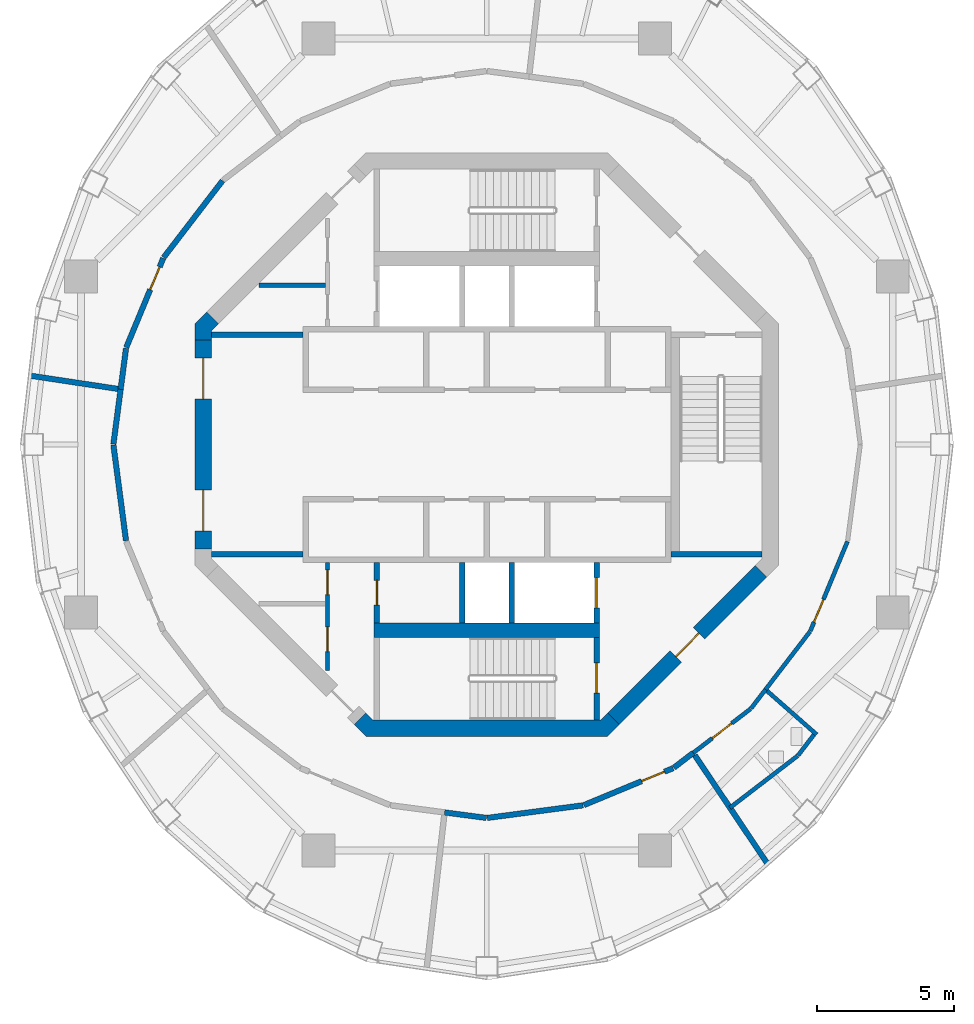
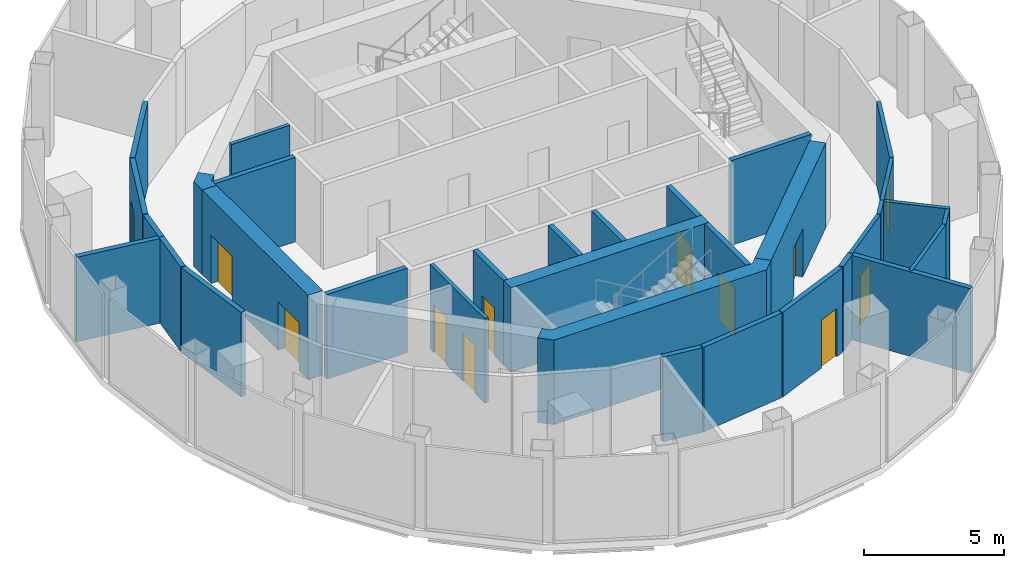
# One storey, part 8 of 12: 33 walls, 12 doors, 12 openings.
"""IFC4 building model written with IfcOpenShell, lengths in metres."""

from ifc_helpers import new_model, si_unit, direction, frame, frame_2d, origin, place, context, subcontext, project, spatial, polyline, rectangle, outline, extrude, material, layer, layer_set, type_object, element, fill, save


model = new_model("IFC4")

# Units and contexts
model_context = context("Model", 3, precision=1e-05, world=origin(), true_north=direction((0.0, 1.0)))
body_context = subcontext(model_context, "Body", "Model", "MODEL_VIEW")
ifc_project = project(units=[si_unit("LENGTHUNIT", "METRE"), si_unit("AREAUNIT", "SQUARE_METRE"), si_unit("VOLUMEUNIT", "CUBIC_METRE"), si_unit("PLANEANGLEUNIT", "RADIAN"), si_unit("MASSUNIT", "GRAM", prefix="KILO")], contexts=[model_context])

# Site, building, storey
site_placement = place(None, origin())
site = spatial("IfcSite", under=ifc_project, at=site_placement, CompositionType="ELEMENT")
building_placement = place(site_placement, origin())
building = spatial("IfcBuilding", under=site, at=building_placement, Name="Nagisa Residences", CompositionType="ELEMENT")
storey_placement = place(building_placement, frame((0.0, 0.0, 328.89990234375)))
storey = spatial("IfcBuildingStorey", under=building, at=storey_placement, Name="L81", CompositionType="ELEMENT", Elevation=328.89990234375)

# Wall, openings, doors
ifc_material_1 = material(Name="Gypsum board on steel studs", Category="steel")
ifc_layer_1 = layer(ifc_material_1, 0.14990234375)
ifc_layer_set_1 = layer_set([ifc_layer_1], Name="Core partition 150")
wall_type_1 = type_object("IfcWallType", Name="Core partition 150", PredefinedType="PARTITIONING", material=ifc_layer_set_1)
wall_1_placement = place(storey_placement, frame((-5.800048828125, -8.22705078125, 0.0), z_axis=(0.0, 0.0, 1.0), x_axis=(0.0, 1.0, 0.0)))
wall_1 = element("IfcWall", 1, at=wall_1_placement, inside=storey, type_object=wall_type_1, Name="wall:L81:SWp", PredefinedType="PARTITIONING", context=body_context, shape_type="SweptSolid", body=[
    extrude(rectangle(XDim=3.927001953125, YDim=0.14990234375, at=frame_2d((1.96337890625, 0.0))), origin(), (0.0, 0.0, 1.0), 3.7001953125),
])
opening_1_placement = place(wall_1_placement, frame((2.764404296875, 0.0, 0.0)))
opening_1 = element("IfcOpeningElement", 2, at=opening_1_placement, cuts=wall_1, Name="Opening L81-C09", PredefinedType="OPENING", context=body_context, shape_type="SweptSolid", body=[
    extrude(rectangle(XDim=0.89990234375, YDim=2.10009765625, at=frame_2d((0.449951171875, 1.050048828125))), frame((0.0, 0.0849609375, 0.0), z_axis=(0.0, -1.0, 0.0), x_axis=(1.0, 0.0, 0.0)), (0.0, 0.0, 1.0), 0.169921875),
])
opening_2_placement = place(wall_1_placement, frame((0.6884765625, 0.0, 0.0)))
opening_2 = element("IfcOpeningElement", 3, at=opening_2_placement, cuts=wall_1, Name="Opening L81-C10", PredefinedType="OPENING", context=body_context, shape_type="SweptSolid", body=[
    extrude(rectangle(XDim=0.89990234375, YDim=2.10009765625, at=frame_2d((0.449951171875, 1.050048828125))), frame((0.0, 0.0849609375, 0.0), z_axis=(0.0, -1.0, 0.0), x_axis=(1.0, 0.0, 0.0)), (0.0, 0.0, 1.0), 0.169921875),
])
ifc_material_2 = material(Name="Steel fire door", Category="steel")
door_type_1 = type_object("IfcDoorType", Name="Fire door EI30 900x2100 single swing", OperationType="NOTDEFINED", PredefinedType="DOOR", material=ifc_material_2)
door_1_placement = place(opening_1_placement, origin())
door_1 = element("IfcDoor", 4, at=door_1_placement, inside=storey, type_object=door_type_1, Name="Cleaner store door L81", OperationType="SINGLE_SWING_RIGHT", OverallHeight=2.10009765625, OverallWidth=0.89990234375, PredefinedType="DOOR", context=body_context, shape_type="SweptSolid", body=[
    extrude(rectangle(XDim=0.89990234375, YDim=2.10009765625, at=frame_2d((0.449951171875, 1.050048828125))), frame((0.0, 0.02490234375, 0.0), z_axis=(0.0, -1.0, 0.0), x_axis=(1.0, 0.0, 0.0)), (0.0, 0.0, 1.0), 0.050048828125),
])
fill(opening_1, door_1)
door_2_placement = place(opening_2_placement, origin())
door_2 = element("IfcDoor", 5, at=door_2_placement, inside=storey, type_object=door_type_1, Name="Plant package store door L81", OperationType="SINGLE_SWING_RIGHT", OverallHeight=2.10009765625, OverallWidth=0.89990234375, PredefinedType="DOOR", context=body_context, shape_type="SweptSolid", body=[
    extrude(rectangle(XDim=0.89990234375, YDim=2.10009765625, at=frame_2d((0.449951171875, 1.050048828125))), frame((0.0, 0.02490234375, 0.0), z_axis=(0.0, -1.0, 0.0), x_axis=(1.0, 0.0, 0.0)), (0.0, 0.0, 1.0), 0.050048828125),
])
fill(opening_2, door_2)

# Walls
wall_2_placement = place(storey_placement, frame((-8.301025390625, 5.800048828125, 0.0), z_axis=(0.0, 0.0, 1.0), x_axis=(1.0, 0.0, 0.0)))
element("IfcWall", 6, at=wall_2_placement, inside=storey, type_object=wall_type_1, Name="wall:L81:NWq", PredefinedType="PARTITIONING", context=body_context, shape_type="SweptSolid", body=[
    extrude(rectangle(XDim=2.426025390625, YDim=0.14990234375, at=frame_2d((1.212890625, 0.0))), origin(), (0.0, 0.0, 1.0), 3.7001953125),
])
ifc_material_3 = material(Name="Gypsum board on steel studs", Category="steel")
ifc_layer_2 = layer(ifc_material_3, 0.199951171875)
ifc_layer_set_2 = layer_set([ifc_layer_2], Name="Core partition 200")
wall_type_2 = type_object("IfcWallType", Name="Core partition 200", PredefinedType="PARTITIONING", material=ifc_layer_set_2)
for number, where, z_axis, x_axis, name in (
    (7, (-10.024658203125, -4.0, 0.0), (0.0, 0.0, 1.0), (1.0, 0.0, 0.0), "wall:L81:PSW"),
    (8, (-10.024658203125, 4.0, 0.0), (0.0, 0.0, 1.0), (1.0, 0.0, 0.0), "wall:L81:PNW"),
):
    element("IfcWall", number, at=place(storey_placement, frame(where, z_axis=z_axis, x_axis=x_axis)), inside=storey, type_object=wall_type_2, Name=name, PredefinedType="PARTITIONING", context=body_context, shape_type="SweptSolid", body=[
        extrude(rectangle(XDim=3.32470703125, YDim=0.199951171875, at=frame_2d((1.662353515625, 0.0))), origin(), (0.0, 0.0, 1.0), 3.7001953125),
    ])

# Wall, openings, doors
ifc_material_4 = material(Name="Concrete C60", Category="concrete")
ifc_layer_3 = layer(ifc_material_4, 0.60009765625)
ifc_layer_set_3 = layer_set([ifc_layer_3], Name="Core shear wall 600")
wall_type_3 = type_object("IfcWallType", Name="Core shear wall 600", PredefinedType="SHEAR", material=ifc_layer_set_3)
wall_3_placement = place(storey_placement, frame((-10.32470703125, 3.80078125, 0.0), z_axis=(0.0, 0.0, 1.0), x_axis=(0.0, -1.0, 0.0)))
wall_3 = element("IfcWall", 9, at=wall_3_placement, inside=storey, type_object=wall_type_3, Name="wall:L81:core:flat4", PredefinedType="SHEAR", context=body_context, shape_type="SweptSolid", body=[
    extrude(rectangle(XDim=7.6015625, YDim=0.60009765625, at=frame_2d((3.80078125, 0.0))), origin(), (0.0, 0.0, 1.0), 3.7001953125),
])
opening_3_placement = place(wall_3_placement, frame((0.65087890625, 0.0, 0.0)))
opening_3 = element("IfcOpeningElement", 10, at=opening_3_placement, cuts=wall_3, Name="Opening L81-C22", PredefinedType="OPENING", context=body_context, shape_type="SweptSolid", body=[
    extrude(rectangle(XDim=1.5, YDim=2.10009765625, at=frame_2d((0.75, 1.050048828125))), frame((0.0, 0.31005859375, 0.0), z_axis=(0.0, -1.0, 0.0), x_axis=(1.0, 0.0, 0.0)), (0.0, 0.0, 1.0), 0.6201171875),
])
opening_4_placement = place(wall_3_placement, frame((5.450927734375, 0.0, 0.0)))
opening_4 = element("IfcOpeningElement", 11, at=opening_4_placement, cuts=wall_3, Name="Opening L81-C23", PredefinedType="OPENING", context=body_context, shape_type="SweptSolid", body=[
    extrude(rectangle(XDim=1.5, YDim=2.10009765625, at=frame_2d((0.75, 1.050048828125))), frame((0.0, 0.31005859375, 0.0), z_axis=(0.0, -1.0, 0.0), x_axis=(1.0, 0.0, 0.0)), (0.0, 0.0, 1.0), 0.6201171875),
])
ifc_material_5 = material(Name="Steel fire door", Category="steel")
door_type_2 = type_object("IfcDoorType", Name="Fire door EI60 1500x2100 double door single swing", OperationType="DOUBLE_DOOR_SINGLE_SWING", PredefinedType="DOOR", material=ifc_material_5)
door_3_placement = place(opening_3_placement, origin())
door_3 = element("IfcDoor", 12, at=door_3_placement, inside=storey, type_object=door_type_2, Name="Lift lobby door L81 1", OperationType="DOUBLE_DOOR_SINGLE_SWING", OverallHeight=2.10009765625, OverallWidth=1.5, PredefinedType="DOOR", context=body_context, shape_type="SweptSolid", body=[
    extrude(rectangle(XDim=1.5, YDim=2.10009765625, at=frame_2d((0.75, 1.050048828125))), frame((0.0, 0.02490234375, 0.0), z_axis=(0.0, -1.0, 0.0), x_axis=(1.0, 0.0, 0.0)), (0.0, 0.0, 1.0), 0.050048828125),
])
fill(opening_3, door_3)
door_4_placement = place(opening_4_placement, origin())
door_4 = element("IfcDoor", 13, at=door_4_placement, inside=storey, type_object=door_type_2, Name="Lift lobby door L81 2", OperationType="DOUBLE_DOOR_SINGLE_SWING", OverallHeight=2.10009765625, OverallWidth=1.5, PredefinedType="DOOR", context=body_context, shape_type="SweptSolid", body=[
    extrude(rectangle(XDim=1.5, YDim=2.10009765625, at=frame_2d((0.75, 1.050048828125))), frame((0.0, 0.02490234375, 0.0), z_axis=(0.0, -1.0, 0.0), x_axis=(1.0, 0.0, 0.0)), (0.0, 0.0, 1.0), 0.050048828125),
])
fill(opening_4, door_4)

# Wall, opening, door
wall_4_placement = place(storey_placement, frame((4.613037109375, -9.98828125, 0.0), z_axis=(0.0, 0.0, 1.0), x_axis=(0.707106781187, 0.707106781187, 0.0)))
wall_4 = element("IfcWall", 14, at=wall_4_placement, inside=storey, type_object=wall_type_3, Name="wall:L81:core:flat7", PredefinedType="SHEAR", context=body_context, shape_type="SweptSolid", body=[
    extrude(rectangle(XDim=7.601806640625, YDim=0.60009765625, at=frame_2d((3.80078125, 0.0))), origin(), (0.0, 0.0, 1.0), 3.7001953125),
])
opening_5_placement = place(wall_4_placement, frame((3.200927734375, 0.0, 0.0)))
opening_5 = element("IfcOpeningElement", 15, at=opening_5_placement, cuts=wall_4, Name="Opening L81-C21", PredefinedType="OPENING", context=body_context, shape_type="SweptSolid", body=[
    extrude(rectangle(XDim=1.199951171875, YDim=2.10009765625, at=frame_2d((0.60009765625, 1.050048828125))), frame((0.0, 0.31005859375, 0.0), z_axis=(0.0, -1.0, 0.0), x_axis=(1.0, 0.0, 0.0)), (0.0, 0.0, 1.0), 0.6201171875),
])
ifc_material_6 = material(Name="Steel fire door", Category="steel")
door_type_3 = type_object("IfcDoorType", Name="Fire door EI60 1200x2100 single swing", OperationType="NOTDEFINED", PredefinedType="DOOR", material=ifc_material_6)
door_5_placement = place(opening_5_placement, origin())
door_5 = element("IfcDoor", 16, at=door_5_placement, inside=storey, type_object=door_type_3, Name="Firefighting lobby 2 door L81", OperationType="SINGLE_SWING_LEFT", OverallHeight=2.10009765625, OverallWidth=1.199951171875, PredefinedType="DOOR", context=body_context, shape_type="SweptSolid", body=[
    extrude(rectangle(XDim=1.199951171875, YDim=2.10009765625, at=frame_2d((0.60009765625, 1.050048828125))), frame((0.0, 0.02490234375, 0.0), z_axis=(0.0, -1.0, 0.0), x_axis=(1.0, 0.0, 0.0)), (0.0, 0.0, 1.0), 0.050048828125),
])
fill(opening_5, door_5)

# Walls
wall_5_placement = place(storey_placement, origin())
element("IfcWall", 17, at=wall_5_placement, inside=storey, type_object=wall_type_3, Name="wall:L81:core:pier3", PredefinedType="SHEAR", context=body_context, shape_type="SweptSolid", body=[
    extrude(outline(polyline([(-10.200439453125, 4.8251953125), (-9.776123046875, 4.40087890625), (-10.024658203125, 4.15234375), (-10.024658203125, 3.80078125), (-10.62451171875, 3.80078125), (-10.62451171875, 4.40087890625), (-10.200439453125, 4.8251953125)])), origin(), (0.0, 0.0, 1.0), 3.7001953125),
])
wall_6_placement = place(storey_placement, origin())
element("IfcWall", 18, at=wall_6_placement, inside=storey, type_object=wall_type_3, Name="wall:L81:core:flat6", PredefinedType="SHEAR", context=body_context, shape_type="SweptSolid", body=[
    extrude(outline(polyline([(-4.15234375, -10.024658203125), (4.15234375, -10.024658203125), (4.40087890625, -9.776123046875), (4.8251953125, -10.200439453125), (4.40087890625, -10.62451171875), (-4.40087890625, -10.62451171875), (-4.8251953125, -10.200439453125), (-4.40087890625, -9.776123046875), (-4.15234375, -10.024658203125)])), origin(), (0.0, 0.0, 1.0), 3.7001953125),
])

# Wall, opening, door
ifc_material_7 = material(Name="Concrete C60", Category="concrete")
ifc_layer_4 = layer(ifc_material_7, 0.199951171875)
ifc_layer_set_4 = layer_set([ifc_layer_4], Name="Lift shaft wall 200")
wall_type_4 = type_object("IfcWallType", Name="Lift shaft wall 200", PredefinedType="SOLIDWALL", material=ifc_layer_set_4)
wall_7_placement = place(storey_placement, frame((4.0, -6.5, 0.0), z_axis=(0.0, 0.0, 1.0), x_axis=(0.0, 1.0, 0.0)))
wall_7 = element("IfcWall", 19, at=wall_7_placement, inside=storey, type_object=wall_type_4, Name="wall:L81:Sb3", PredefinedType="SOLIDWALL", context=body_context, shape_type="SweptSolid", body=[
    extrude(rectangle(XDim=2.199951171875, YDim=0.199951171875, at=frame_2d((1.10009765625, 0.0))), origin(), (0.0, 0.0, 1.0), 3.7001953125),
])
opening_6_placement = place(wall_7_placement, frame((0.550048828125, 0.0, 0.0)))
opening_6 = element("IfcOpeningElement", 20, at=opening_6_placement, cuts=wall_7, Name="Opening L81-C02", PredefinedType="OPENING", context=body_context, shape_type="SweptSolid", body=[
    extrude(rectangle(XDim=1.10009765625, YDim=2.10009765625, at=frame_2d((0.550048828125, 1.050048828125))), frame((0.0, 0.10986328125, 0.0), z_axis=(0.0, -1.0, 0.0), x_axis=(1.0, 0.0, 0.0)), (0.0, 0.0, 1.0), 0.219970703125),
])
ifc_material_8 = material(Name="Stainless steel", Category="steel")
door_type_4 = type_object("IfcDoorType", Name="Lift landing door 1100x2100", OperationType="DOUBLE_DOOR_SLIDING", PredefinedType="DOOR", material=ifc_material_8)
door_6_placement = place(opening_6_placement, origin())
door_6 = element("IfcDoor", 21, at=door_6_placement, inside=storey, type_object=door_type_4, Name="Landing door FL2 L81", OperationType="DOUBLE_DOOR_SLIDING", OverallHeight=2.10009765625, OverallWidth=1.10009765625, PredefinedType="DOOR", context=body_context, shape_type="SweptSolid", body=[
    extrude(rectangle(XDim=1.10009765625, YDim=2.10009765625, at=frame_2d((0.550048828125, 1.050048828125))), frame((0.0, 0.02490234375, 0.0), z_axis=(0.0, -1.0, 0.0), x_axis=(1.0, 0.0, 0.0)), (0.0, 0.0, 1.0), 0.050048828125),
])
fill(opening_6, door_6)

wall_8_placement = place(storey_placement, frame((-4.0, -6.5, 0.0), z_axis=(0.0, 0.0, 1.0), x_axis=(0.0, 1.0, 0.0)))
wall_8 = element("IfcWall", 22, at=wall_8_placement, inside=storey, type_object=wall_type_4, Name="wall:L81:Sb4", PredefinedType="SOLIDWALL", context=body_context, shape_type="SweptSolid", body=[
    extrude(rectangle(XDim=2.199951171875, YDim=0.199951171875, at=frame_2d((1.10009765625, 0.0))), origin(), (0.0, 0.0, 1.0), 3.7001953125),
])
opening_7_placement = place(wall_8_placement, frame((0.64990234375, 0.0, 0.0)))
opening_7 = element("IfcOpeningElement", 23, at=opening_7_placement, cuts=wall_8, Name="Opening L81-C11", PredefinedType="OPENING", context=body_context, shape_type="SweptSolid", body=[
    extrude(rectangle(XDim=0.89990234375, YDim=2.10009765625, at=frame_2d((0.449951171875, 1.050048828125))), frame((0.0, 0.10986328125, 0.0), z_axis=(0.0, -1.0, 0.0), x_axis=(1.0, 0.0, 0.0)), (0.0, 0.0, 1.0), 0.219970703125),
])
door_7_placement = place(opening_7_placement, frame((0.89990234375, 0.0, 0.0), x_axis=(-1.0, 0.0, 0.0)))
door_7 = element("IfcDoor", 24, at=door_7_placement, inside=storey, type_object=door_type_1, Name="Refuse room door L81", OperationType="SINGLE_SWING_RIGHT", OverallHeight=2.10009765625, OverallWidth=0.89990234375, PredefinedType="DOOR", context=body_context, shape_type="SweptSolid", body=[
    extrude(rectangle(XDim=0.89990234375, YDim=2.10009765625, at=frame_2d((0.449951171875, 1.050048828125))), frame((0.0, 0.02490234375, 0.0), z_axis=(0.0, -1.0, 0.0), x_axis=(1.0, 0.0, 0.0)), (0.0, 0.0, 1.0), 0.050048828125),
])
fill(opening_7, door_7)

# Walls
for number, where, z_axis, x_axis, name in (
    (25, (-0.89990234375, -6.5, 0.0), (0.0, 0.0, 1.0), (0.0, 1.0, 0.0), "wall:L81:Sb1"),
    (26, (0.89990234375, -6.5, 0.0), (0.0, 0.0, 1.0), (0.0, 1.0, 0.0), "wall:L81:Sb2"),
):
    element("IfcWall", number, at=place(storey_placement, frame(where, z_axis=z_axis, x_axis=x_axis)), inside=storey, type_object=wall_type_4, Name=name, PredefinedType="SOLIDWALL", context=body_context, shape_type="SweptSolid", body=[
        extrude(rectangle(XDim=2.199951171875, YDim=0.199951171875, at=frame_2d((1.10009765625, 0.0))), origin(), (0.0, 0.0, 1.0), 3.7001953125),
    ])
ifc_material_9 = material(Name="Gypsum board on steel studs", Category="steel")
ifc_layer_5 = layer(ifc_material_9, 0.199951171875)
ifc_layer_set_5 = layer_set([ifc_layer_5], Name="Plant room wall EI120 200")
wall_type_5 = type_object("IfcWallType", Name="Plant room wall EI120 200", PredefinedType="PARTITIONING", material=ifc_layer_set_5)
wall_9_placement = place(storey_placement, frame((-13.597900390625, 0.01513671875, 0.0), z_axis=(0.0, 0.0, 1.0), x_axis=(0.130526685544, 0.991444796426, 0.0)))
element("IfcWall", 27, at=wall_9_placement, inside=storey, type_object=wall_type_5, Name="wall:L81:am009", PredefinedType="PARTITIONING", context=body_context, shape_type="SweptSolid", body=[
    extrude(rectangle(XDim=2.0126953125, YDim=0.199951171875, at=frame_2d((1.00634765625, 0.0))), origin(), (0.0, 0.0, 1.0), 3.7001953125),
])
wall_10_placement = place(storey_placement, frame((-13.43408203125, 2.025390625, 0.0), z_axis=(0.0, 0.0, 1.0), x_axis=(-0.988817905908, 0.149127961685, 0.0)))
element("IfcWall", 28, at=wall_10_placement, inside=storey, type_object=wall_type_5, Name="wall:L81:am010", PredefinedType="PARTITIONING", context=body_context, shape_type="SweptSolid", body=[
    extrude(rectangle(XDim=3.213623046875, YDim=0.199951171875, at=frame_2d((1.60693359375, 0.0))), origin(), (0.0, 0.0, 1.0), 3.7001953125),
])
wall_11_placement = place(storey_placement, frame((-13.335205078125, 2.010498046875, 0.0), z_axis=(0.0, 0.0, 1.0), x_axis=(0.130391662061, 0.99146256332, 0.0)))
element("IfcWall", 29, at=wall_11_placement, inside=storey, type_object=wall_type_5, Name="wall:L81:am011", PredefinedType="PARTITIONING", context=body_context, shape_type="SweptSolid", body=[
    extrude(rectangle(XDim=1.50732421875, YDim=0.199951171875, at=frame_2d((0.753662109375, 0.0))), origin(), (0.0, 0.0, 1.0), 3.7001953125),
])
wall_12_placement = place(storey_placement, frame((-13.138671875, -3.5048828125, 0.0), z_axis=(0.0, 0.0, 1.0), x_axis=(-0.130468866457, 0.991452406768, 0.0)))
element("IfcWall", 30, at=wall_12_placement, inside=storey, type_object=wall_type_5, Name="wall:L81:am012", PredefinedType="PARTITIONING", context=body_context, shape_type="SweptSolid", body=[
    extrude(rectangle(XDim=3.519775390625, YDim=0.199951171875, at=frame_2d((1.759765625, 0.0))), origin(), (0.0, 0.0, 1.0), 3.7001953125),
])

# Wall, opening, door
wall_13_placement = place(storey_placement, frame((-13.130859375, 3.533935546875, 0.0), z_axis=(0.0, 0.0, 1.0), x_axis=(0.382723413813, 0.92386297064, 0.0)))
wall_13 = element("IfcWall", 31, at=wall_13_placement, inside=storey, type_object=wall_type_5, Name="wall:L81:am013", PredefinedType="PARTITIONING", context=body_context, shape_type="SweptSolid", body=[
    extrude(rectangle(XDim=3.52001953125, YDim=0.199951171875, at=frame_2d((1.760009765625, 0.0))), origin(), (0.0, 0.0, 1.0), 3.7001953125),
])
opening_8_placement = place(wall_13_placement, frame((2.277587890625, 0.0, 0.0)))
opening_8 = element("IfcOpeningElement", 32, at=opening_8_placement, cuts=wall_13, Name="Opening L81-A03", PredefinedType="OPENING", context=body_context, shape_type="SweptSolid", body=[
    extrude(rectangle(XDim=0.89990234375, YDim=2.10009765625, at=frame_2d((0.449951171875, 1.050048828125))), frame((0.0, 0.10986328125, 0.0), z_axis=(0.0, -1.0, 0.0), x_axis=(1.0, 0.0, 0.0)), (0.0, 0.0, 1.0), 0.219970703125),
])
ifc_material_10 = material(Name="Steel fire door", Category="steel")
door_type_5 = type_object("IfcDoorType", Name="Fire door EI120 900x2100 single swing", OperationType="NOTDEFINED", PredefinedType="DOOR", material=ifc_material_10)
door_8_placement = place(opening_8_placement, origin())
door_8 = element("IfcDoor", 33, at=door_8_placement, inside=storey, type_object=door_type_5, Name="Switchroom door", OperationType="SINGLE_SWING_LEFT", OverallHeight=2.10009765625, OverallWidth=0.89990234375, PredefinedType="DOOR", context=body_context, shape_type="SweptSolid", body=[
    extrude(rectangle(XDim=0.89990234375, YDim=2.10009765625, at=frame_2d((0.449951171875, 1.050048828125))), frame((0.0, 0.02490234375, 0.0), z_axis=(0.0, -1.0, 0.0), x_axis=(1.0, 0.0, 0.0)), (0.0, 0.0, 1.0), 0.050048828125),
])
fill(opening_8, door_8)

# Walls
wall_14_placement = place(storey_placement, frame((-11.7685546875, 6.81201171875, 0.0), z_axis=(0.0, 0.0, 1.0), x_axis=(0.608697977542, 0.793402024283, 0.0)))
element("IfcWall", 34, at=wall_14_placement, inside=storey, type_object=wall_type_5, Name="wall:L81:am015", PredefinedType="PARTITIONING", context=body_context, shape_type="SweptSolid", body=[
    extrude(rectangle(XDim=3.52001953125, YDim=0.199951171875, at=frame_2d((1.760009765625, 0.0))), origin(), (0.0, 0.0, 1.0), 3.7001953125),
])
wall_15_placement = place(storey_placement, frame((-0.01513671875, -13.597900390625, 0.0), z_axis=(0.0, 0.0, 1.0), x_axis=(-0.991449967232, 0.13048740351, 0.0)))
element("IfcWall", 35, at=wall_15_placement, inside=storey, type_object=wall_type_5, Name="wall:L81:am028", PredefinedType="PARTITIONING", context=body_context, shape_type="SweptSolid", body=[
    extrude(rectangle(XDim=1.5361328125, YDim=0.199951171875, at=frame_2d((0.76806640625, 0.0))), origin(), (0.0, 0.0, 1.0), 3.7001953125),
])
wall_16_placement = place(storey_placement, frame((3.5048828125, -13.138671875, 0.0), z_axis=(0.0, 0.0, 1.0), x_axis=(-0.991452406768, -0.130468866457, 0.0)))
element("IfcWall", 36, at=wall_16_placement, inside=storey, type_object=wall_type_5, Name="wall:L81:am032", PredefinedType="PARTITIONING", context=body_context, shape_type="SweptSolid", body=[
    extrude(rectangle(XDim=3.519775390625, YDim=0.199951171875, at=frame_2d((1.759765625, 0.0))), origin(), (0.0, 0.0, 1.0), 3.7001953125),
])

# Wall, opening, door
wall_17_placement = place(storey_placement, frame((6.785888671875, -11.78369140625, 0.0), z_axis=(0.0, 0.0, 1.0), x_axis=(-0.92386297064, -0.382723413813, 0.0)))
wall_17 = element("IfcWall", 37, at=wall_17_placement, inside=storey, type_object=wall_type_5, Name="wall:L81:am034", PredefinedType="PARTITIONING", context=body_context, shape_type="SweptSolid", body=[
    extrude(rectangle(XDim=3.52001953125, YDim=0.199951171875, at=frame_2d((1.760009765625, 0.0))), origin(), (0.0, 0.0, 1.0), 3.7001953125),
])
opening_9_placement = place(wall_17_placement, frame((0.34228515625, 0.0, 0.0)))
opening_9 = element("IfcOpeningElement", 38, at=opening_9_placement, cuts=wall_17, Name="Opening L81-A06", PredefinedType="OPENING", context=body_context, shape_type="SweptSolid", body=[
    extrude(rectangle(XDim=0.89990234375, YDim=2.10009765625, at=frame_2d((0.449951171875, 1.050048828125))), frame((0.0, 0.10986328125, 0.0), z_axis=(0.0, -1.0, 0.0), x_axis=(1.0, 0.0, 0.0)), (0.0, 0.0, 1.0), 0.219970703125),
])
door_9_placement = place(opening_9_placement, origin())
door_9 = element("IfcDoor", 39, at=door_9_placement, inside=storey, type_object=door_type_5, Name="Transformer room door", OperationType="SINGLE_SWING_RIGHT", OverallHeight=2.10009765625, OverallWidth=0.89990234375, PredefinedType="DOOR", context=body_context, shape_type="SweptSolid", body=[
    extrude(rectangle(XDim=0.89990234375, YDim=2.10009765625, at=frame_2d((0.449951171875, 1.050048828125))), frame((0.0, 0.02490234375, 0.0), z_axis=(0.0, -1.0, 0.0), x_axis=(1.0, 0.0, 0.0)), (0.0, 0.0, 1.0), 0.050048828125),
])
fill(opening_9, door_9)

# Walls
wall_18_placement = place(storey_placement, frame((7.5166015625, -11.22802734375, 0.0), z_axis=(0.0, 0.0, 1.0), x_axis=(-0.793420478802, -0.608673922407, 0.0)))
element("IfcWall", 40, at=wall_18_placement, inside=storey, type_object=wall_type_5, Name="wall:L81:am036", PredefinedType="PARTITIONING", context=body_context, shape_type="SweptSolid", body=[
    extrude(rectangle(XDim=0.887939453125, YDim=0.199951171875, at=frame_2d((0.44384765625, 0.0))), origin(), (0.0, 0.0, 1.0), 3.7001953125),
])
wall_19_placement = place(storey_placement, frame((10.208984375, -15.25, 0.0), z_axis=(0.0, 0.0, 1.0), x_axis=(-0.55629198168, 0.830986901893, 0.0)))
element("IfcWall", 41, at=wall_19_placement, inside=storey, type_object=wall_type_5, Name="wall:L81:am038", PredefinedType="PARTITIONING", context=body_context, shape_type="SweptSolid", body=[
    extrude(rectangle(XDim=4.73974609375, YDim=0.199951171875, at=frame_2d((2.369873046875, 0.0))), origin(), (0.0, 0.0, 1.0), 3.7001953125),
])

# Wall, opening, door
ifc_material_11 = material(Name="Gypsum board on steel studs", Category="steel")
ifc_layer_6 = layer(ifc_material_11, 0.14990234375)
ifc_layer_set_6 = layer_set([ifc_layer_6], Name="Room partition EI60 150")
wall_type_6 = type_object("IfcWallType", Name="Room partition EI60 150", PredefinedType="PARTITIONING", material=ifc_layer_set_6)
wall_20_placement = place(storey_placement, frame((9.607177734375, -9.6240234375, 0.0), z_axis=(0.0, 0.0, 1.0), x_axis=(-0.793381127635, -0.608725214126, 0.0)))
wall_20 = element("IfcWall", 42, at=wall_20_placement, inside=storey, type_object=wall_type_6, Name="wall:L81:am000", PredefinedType="PARTITIONING", context=body_context, shape_type="SweptSolid", body=[
    extrude(rectangle(XDim=2.635009765625, YDim=0.14990234375, at=frame_2d((1.3173828125, 0.0))), origin(), (0.0, 0.0, 1.0), 3.7001953125),
])
opening_10_placement = place(wall_20_placement, frame((0.86181640625, 0.0, 0.0)))
opening_10 = element("IfcOpeningElement", 43, at=opening_10_placement, cuts=wall_20, Name="Opening L81-A07", PredefinedType="OPENING", context=body_context, shape_type="SweptSolid", body=[
    extrude(rectangle(XDim=0.89990234375, YDim=2.10009765625, at=frame_2d((0.449951171875, 1.050048828125))), frame((0.0, 0.0849609375, 0.0), z_axis=(0.0, -1.0, 0.0), x_axis=(1.0, 0.0, 0.0)), (0.0, 0.0, 1.0), 0.169921875),
])
door_10_placement = place(opening_10_placement, origin())
door_10 = element("IfcDoor", 44, at=door_10_placement, inside=storey, type_object=door_type_1, Name="Plant staff WC door", OperationType="SINGLE_SWING_LEFT", OverallHeight=2.10009765625, OverallWidth=0.89990234375, PredefinedType="DOOR", context=body_context, shape_type="SweptSolid", body=[
    extrude(rectangle(XDim=0.89990234375, YDim=2.10009765625, at=frame_2d((0.449951171875, 1.050048828125))), frame((0.0, 0.02490234375, 0.0), z_axis=(0.0, -1.0, 0.0), x_axis=(1.0, 0.0, 0.0)), (0.0, 0.0, 1.0), 0.050048828125),
])
fill(opening_10, door_10)

# Walls
wall_21_placement = place(storey_placement, frame((10.14892578125, -8.923095703125, 0.0), z_axis=(0.0, 0.0, 1.0), x_axis=(-0.608752479135, -0.793360207691, 0.0)))
element("IfcWall", 45, at=wall_21_placement, inside=storey, type_object=wall_type_6, Name="wall:L81:am001", PredefinedType="PARTITIONING", context=body_context, shape_type="SweptSolid", body=[
    extrude(rectangle(XDim=0.8623046875, YDim=0.14990234375, at=frame_2d((0.43115234375, 0.0))), origin(), (0.0, 0.0, 1.0), 3.7001953125),
])
wall_22_placement = place(storey_placement, frame((10.205322265625, -8.97265625, 0.0), z_axis=(0.0, 0.0, 1.0), x_axis=(0.750971181711, -0.66033497881, 0.0)))
element("IfcWall", 46, at=wall_22_placement, inside=storey, type_object=wall_type_6, Name="wall:L81:am002", PredefinedType="PARTITIONING", context=body_context, shape_type="SweptSolid", body=[
    extrude(rectangle(XDim=2.405517578125, YDim=0.14990234375, at=frame_2d((1.20263671875, 0.0))), origin(), (0.0, 0.0, 1.0), 3.7001953125),
])
wall_23_placement = place(storey_placement, frame((11.319091796875, -11.335693359375, 0.0), z_axis=(0.0, 0.0, 1.0), x_axis=(-0.793397594576, -0.608703751361, 0.0)))
element("IfcWall", 47, at=wall_23_placement, inside=storey, type_object=wall_type_6, Name="wall:L81:am003", PredefinedType="PARTITIONING", context=body_context, shape_type="SweptSolid", body=[
    extrude(rectangle(XDim=3.1064453125, YDim=0.14990234375, at=frame_2d((1.55322265625, 0.0))), origin(), (0.0, 0.0, 1.0), 3.7001953125),
])
wall_24_placement = place(storey_placement, frame((11.770751953125, -6.809326171875, 0.0), z_axis=(0.0, 0.0, 1.0), x_axis=(-0.608731606531, -0.793376222993, 0.0)))
element("IfcWall", 48, at=wall_24_placement, inside=storey, type_object=wall_type_6, Name="wall:L81:am004", PredefinedType="PARTITIONING", context=body_context, shape_type="SweptSolid", body=[
    extrude(rectangle(XDim=2.664306640625, YDim=0.14990234375, at=frame_2d((1.33203125, 0.0))), origin(), (0.0, 0.0, 1.0), 3.7001953125),
])
wall_25_placement = place(storey_placement, frame((11.909423828125, -10.571044921875, 0.0), z_axis=(0.0, 0.0, 1.0), x_axis=(-0.608583762221, -0.793489637211, 0.0)))
element("IfcWall", 49, at=wall_25_placement, inside=storey, type_object=wall_type_6, Name="wall:L81:am005", PredefinedType="PARTITIONING", context=body_context, shape_type="SweptSolid", body=[
    extrude(rectangle(XDim=0.942626953125, YDim=0.14990234375, at=frame_2d((0.47119140625, 0.0))), origin(), (0.0, 0.0, 1.0), 3.7001953125),
])

# Wall, opening, door
wall_26_placement = place(storey_placement, frame((13.132080078125, -3.53076171875, 0.0), z_axis=(0.0, 0.0, 1.0), x_axis=(-0.382677866108, -0.923881838111, 0.0)))
wall_26 = element("IfcWall", 50, at=wall_26_placement, inside=storey, type_object=wall_type_6, Name="wall:L81:am006", PredefinedType="PARTITIONING", context=body_context, shape_type="SweptSolid", body=[
    extrude(rectangle(XDim=3.52685546875, YDim=0.14990234375, at=frame_2d((1.763427734375, 0.0))), origin(), (0.0, 0.0, 1.0), 3.7001953125),
])
opening_11_placement = place(wall_26_placement, frame((2.281005859375, 0.0, 0.0)))
opening_11 = element("IfcOpeningElement", 51, at=opening_11_placement, cuts=wall_26, Name="Opening L81-A08", PredefinedType="OPENING", context=body_context, shape_type="SweptSolid", body=[
    extrude(rectangle(XDim=0.89990234375, YDim=2.10009765625, at=frame_2d((0.449951171875, 1.050048828125))), frame((0.0, 0.0849609375, 0.0), z_axis=(0.0, -1.0, 0.0), x_axis=(1.0, 0.0, 0.0)), (0.0, 0.0, 1.0), 0.169921875),
])
door_11_placement = place(opening_11_placement, origin())
door_11 = element("IfcDoor", 52, at=door_11_placement, inside=storey, type_object=door_type_1, Name="Plant workshop door", OperationType="SINGLE_SWING_RIGHT", OverallHeight=2.10009765625, OverallWidth=0.89990234375, PredefinedType="DOOR", context=body_context, shape_type="SweptSolid", body=[
    extrude(rectangle(XDim=0.89990234375, YDim=2.10009765625, at=frame_2d((0.449951171875, 1.050048828125))), frame((0.0, 0.02490234375, 0.0), z_axis=(0.0, -1.0, 0.0), x_axis=(1.0, 0.0, 0.0)), (0.0, 0.0, 1.0), 0.050048828125),
])
fill(opening_11, door_11)

ifc_material_12 = material(Name="Concrete C60", Category="concrete")
ifc_layer_7 = layer(ifc_material_12, 0.199951171875)
ifc_layer_set_7 = layer_set([ifc_layer_7], Name="Stair enclosure wall 200")
wall_type_7 = type_object("IfcWallType", Name="Stair enclosure wall 200", PredefinedType="SOLIDWALL", material=ifc_layer_set_7)
wall_27_placement = place(storey_placement, frame((4.0, -10.024658203125, 0.0), z_axis=(0.0, 0.0, 1.0), x_axis=(0.0, 1.0, 0.0)))
wall_27 = element("IfcWall", 53, at=wall_27_placement, inside=storey, type_object=wall_type_7, Name="wall:L81:SS_e", PredefinedType="SOLIDWALL", context=body_context, shape_type="SweptSolid", body=[
    extrude(rectangle(XDim=3.0, YDim=0.199951171875, at=frame_2d((1.5, 0.0))), origin(), (0.0, 0.0, 1.0), 3.7001953125),
])
opening_12_placement = place(wall_27_placement, frame((0.974609375, 0.0, 0.0)))
opening_12 = element("IfcOpeningElement", 54, at=opening_12_placement, cuts=wall_27, Name="Opening L81-C06", PredefinedType="OPENING", context=body_context, shape_type="SweptSolid", body=[
    extrude(rectangle(XDim=1.10009765625, YDim=2.10009765625, at=frame_2d((0.550048828125, 1.050048828125))), frame((0.0, 0.10986328125, 0.0), z_axis=(0.0, -1.0, 0.0), x_axis=(1.0, 0.0, 0.0)), (0.0, 0.0, 1.0), 0.219970703125),
])
ifc_material_13 = material(Name="Steel fire door", Category="steel")
door_type_6 = type_object("IfcDoorType", Name="Fire door EI90 1100x2100 single swing", OperationType="NOTDEFINED", PredefinedType="DOOR", material=ifc_material_13)
door_12_placement = place(opening_12_placement, origin())
door_12 = element("IfcDoor", 55, at=door_12_placement, inside=storey, type_object=door_type_6, Name="Stair door ST-S L81", OperationType="SINGLE_SWING_RIGHT", OverallHeight=2.10009765625, OverallWidth=1.10009765625, PredefinedType="DOOR", context=body_context, shape_type="SweptSolid", body=[
    extrude(rectangle(XDim=1.10009765625, YDim=2.10009765625, at=frame_2d((0.550048828125, 1.050048828125))), frame((0.0, 0.02490234375, 0.0), z_axis=(0.0, -1.0, 0.0), x_axis=(1.0, 0.0, 0.0)), (0.0, 0.0, 1.0), 0.050048828125),
])
fill(opening_12, door_12)

# Walls
wall_28_placement = place(storey_placement, origin())
element("IfcWall", 56, at=wall_28_placement, inside=storey, type_object=wall_type_7, Name="wall:L81:SS_n", PredefinedType="SOLIDWALL", context=body_context, shape_type="SweptSolid", body=[
    extrude(outline(polyline([(4.10009765625, -7.024658203125), (-4.10009765625, -7.024658203125), (-4.10009765625, -6.5), (4.10009765625, -6.5), (4.10009765625, -7.024658203125)])), origin(), (0.0, 0.0, 1.0), 3.7001953125),
])
wall_29_placement = place(storey_placement, origin())
element("IfcWall", 57, at=wall_29_placement, inside=storey, type_object=wall_type_7, Name="wall:L81:SE_s", PredefinedType="SOLIDWALL", context=body_context, shape_type="SweptSolid", body=[
    extrude(outline(polyline([(10.024658203125, -4.10009765625), (6.699951171875, -4.10009765625), (6.699951171875, -3.89990234375), (10.024658203125, -3.89990234375), (10.024658203125, -4.10009765625)])), origin(), (0.0, 0.0, 1.0), 3.7001953125),
])

save(model, "model.ifc")
